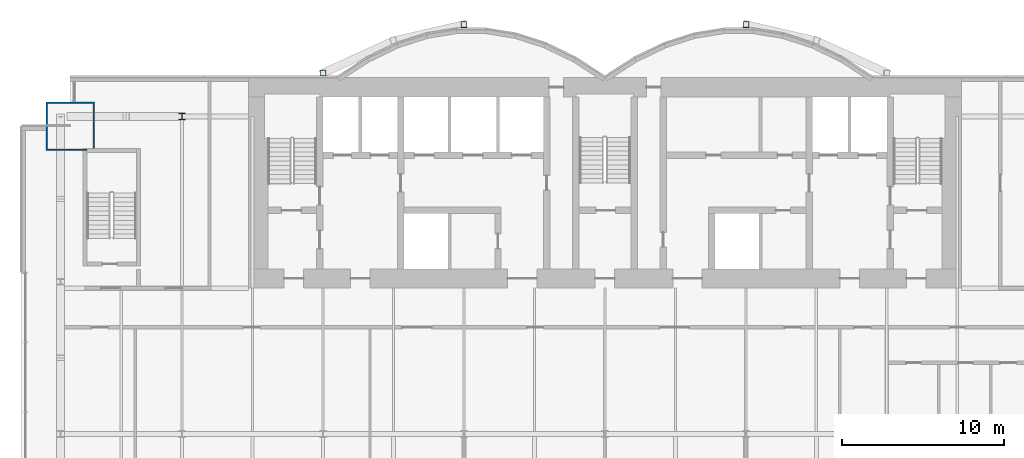
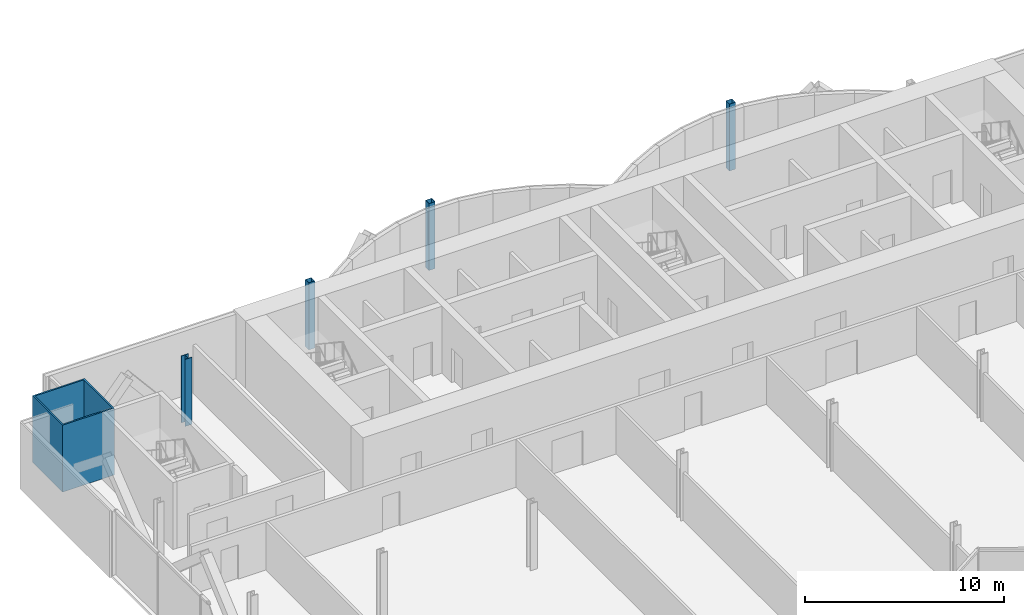
# One storey, part 2 of 21: 5 columns.
"""IFC4 building model written with IfcOpenShell, lengths in metres."""

from ifc_helpers import new_model, si_unit, direction, frame, origin, origin_2d, place, context, subcontext, project, spatial, hollow_rectangle, i_section, extrude, material, material_profile, profile_set, type_object, element, save


model = new_model("IFC4")

# Units and contexts
model_context = context("Model", 3, precision=1e-05, world=origin(), true_north=direction((0.0, 1.0)))
body_context = subcontext(model_context, "Body", "Model", "MODEL_VIEW")
ifc_project = project(units=[si_unit("LENGTHUNIT", "METRE"), si_unit("AREAUNIT", "SQUARE_METRE"), si_unit("VOLUMEUNIT", "CUBIC_METRE"), si_unit("PLANEANGLEUNIT", "RADIAN"), si_unit("MASSUNIT", "GRAM", prefix="KILO")], contexts=[model_context])

# Site, building, storey
site_placement = place(None, origin())
site = spatial("IfcSite", under=ifc_project, at=site_placement, CompositionType="ELEMENT")
building_placement = place(site_placement, origin())
building = spatial("IfcBuilding", under=site, at=building_placement, Name="Bicima Exchange Tower", CompositionType="ELEMENT")
storey_placement = place(building_placement, frame((0.0, 0.0, 126.800048828125)))
storey = spatial("IfcBuildingStorey", under=building, at=storey_placement, Name="L27", CompositionType="ELEMENT", Elevation=126.800048828125)

# Columns
ifc_material_1 = material(Name="Steel ASTM A572 Gr 50", Category="steel")
ifc_material_profile_1 = material_profile(ifc_material_1, hollow_rectangle(XDim=3.0, YDim=3.0, WallThickness=0.090087890625, at=origin_2d()))
ifc_profile_set_1 = profile_set([ifc_material_profile_1], Name="Steel ASTM A572 Gr 50")
column_type_1 = type_object("IfcColumnType", Name="Mega column BOX 3000x3000x90", PredefinedType="COLUMN", material=ifc_profile_set_1)
column_1_placement = place(storey_placement, frame((-33.0, -3.0, 0.0), z_axis=(0.0, 0.0, 1.0), x_axis=(1.0, 0.0, 0.0)))
element("IfcColumn", 1, at=column_1_placement, inside=storey, type_object=column_type_1, Name="Mega column mega-33.0r", PredefinedType="COLUMN", context=body_context, shape_type="SweptSolid", body=[
    extrude(hollow_rectangle(XDim=3.0, YDim=3.0, WallThickness=0.090087890625, at=origin_2d()), origin(), (0.0, 0.0, 1.0), 4.099853515625),
])
ifc_material_2 = material(Name="Steel ASTM A992 Gr 50", Category="steel")
ifc_material_profile_2 = material_profile(ifc_material_2, i_section(OverallWidth=0.398681640625, OverallDepth=0.393798828125, WebThickness=0.022705078125, FlangeThickness=0.03662109375, at=origin_2d()))
ifc_profile_set_2 = profile_set([ifc_material_profile_2], Name="Steel ASTM A992 Gr 50")
column_type_2 = type_object("IfcColumnType", Name="Perimeter column W14x193", PredefinedType="COLUMN", material=ifc_profile_set_2)
column_2_placement = place(storey_placement, frame((-26.10009765625, -2.39990234375, 0.0), z_axis=(0.0, 0.0, 1.0), x_axis=(1.0, 0.0, 0.0)))
element("IfcColumn", 2, at=column_2_placement, inside=storey, type_object=column_type_2, Name="Perimeter column grav-26.1r", PredefinedType="COLUMN", context=body_context, shape_type="SweptSolid", body=[
    extrude(i_section(OverallWidth=0.398681640625, OverallDepth=0.393798828125, WebThickness=0.022705078125, FlangeThickness=0.03662109375, at=origin_2d()), origin(), (0.0, 0.0, 1.0), 4.099853515625),
])
ifc_material_profile_3 = material_profile(ifc_material_1, hollow_rectangle(XDim=0.355712890625, YDim=0.355712890625, WallThickness=0.01171875, at=origin_2d()))
ifc_profile_set_3 = profile_set([ifc_material_profile_3], Name="Steel ASTM A572 Gr 50")
column_type_3 = type_object("IfcColumnType", Name="Rear pilaster HSS14x14x1/2", PredefinedType="COLUMN", material=ifc_profile_set_3)
for number, where, z_axis, x_axis, name in (
    (3, (-8.699951171875, 3.26904296875, 0.0), (0.0, 0.0, 1.0), (1.0, 0.0, 0.0), "Rear pilaster rexo-8.7r"),
    (4, (-17.39990234375, 0.278076171875, 0.0), (0.0, 0.0, 1.0), (1.0, 0.0, 0.0), "Rear pilaster rexo-17.4r"),
    (5, (8.699951171875, 3.26904296875, 0.0), (0.0, 0.0, 1.0), (1.0, 0.0, 0.0), "Rear pilaster rexo+8.7r"),
):
    element("IfcColumn", number, at=place(storey_placement, frame(where, z_axis=z_axis, x_axis=x_axis)), inside=storey, type_object=column_type_3, Name=name, PredefinedType="COLUMN", context=body_context, shape_type="SweptSolid", body=[
        extrude(hollow_rectangle(XDim=0.355712890625, YDim=0.355712890625, WallThickness=0.01171875, at=origin_2d()), origin(), (0.0, 0.0, 1.0), 4.099853515625),
    ])

save(model, "model.ifc")
